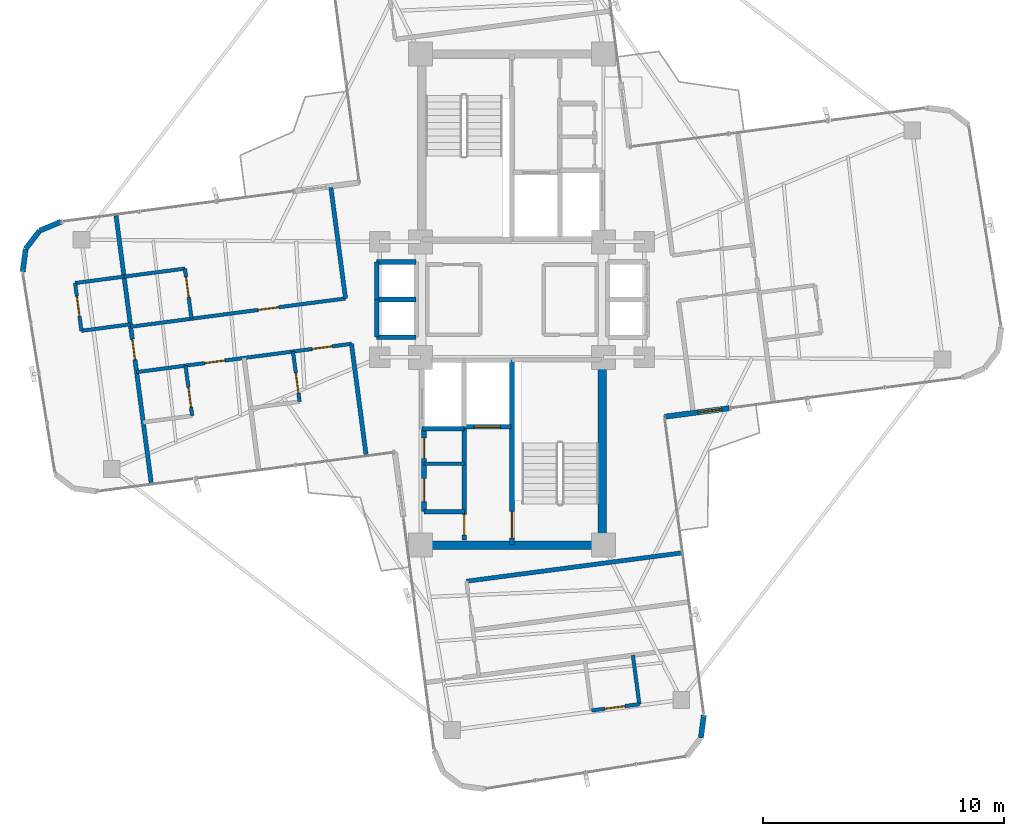
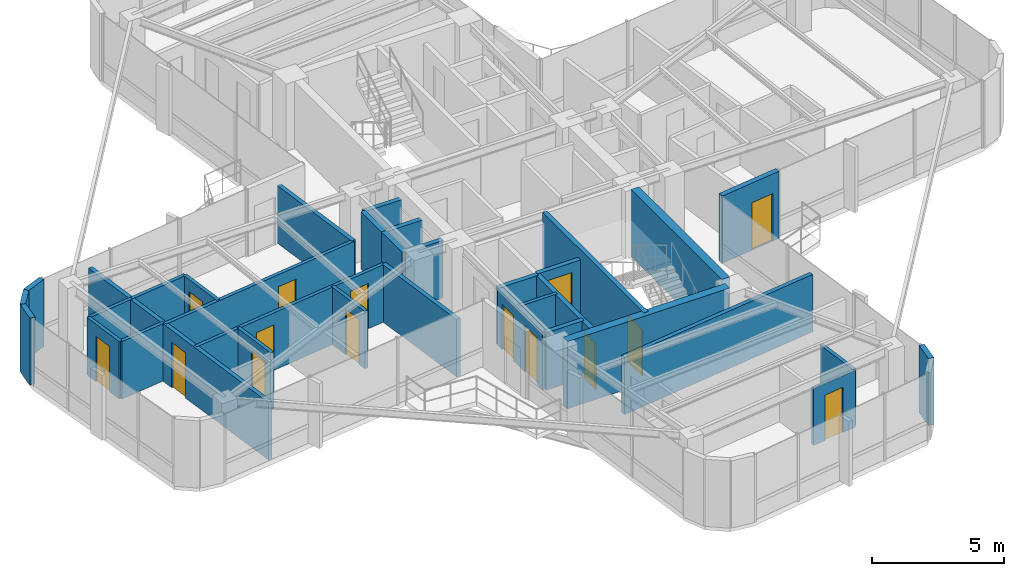
# One storey, part 18 of 21: 34 walls, 15 doors, 15 openings.
"""IFC4 building model written with IfcOpenShell, lengths in metres."""

from ifc_helpers import new_model, si_unit, direction, frame, frame_2d, origin, origin_2d, place, context, subcontext, project, spatial, rectangle, extrude, source, transform, mapped, material, layer, layer_set, type_object, element, fill, save


model = new_model("IFC4")

# Units and contexts
model_context = context("Model", 3, precision=1e-05, world=origin(), true_north=direction((0.0, 1.0)))
body_context = subcontext(model_context, "Body", "Model", "MODEL_VIEW")
ifc_project = project(units=[si_unit("LENGTHUNIT", "METRE"), si_unit("AREAUNIT", "SQUARE_METRE"), si_unit("VOLUMEUNIT", "CUBIC_METRE"), si_unit("PLANEANGLEUNIT", "RADIAN"), si_unit("MASSUNIT", "GRAM", prefix="KILO")], contexts=[model_context])

# Site, building, storey
site_placement = place(None, origin())
site = spatial("IfcSite", under=ifc_project, at=site_placement, CompositionType="ELEMENT")
building_placement = place(site_placement, origin())
building = spatial("IfcBuilding", under=site, at=building_placement, Name="Sahyath Konkavel Grand Hotel", CompositionType="ELEMENT")
storey_placement = place(building_placement, frame((0.0, 0.0, 209.85009765625)))
storey = spatial("IfcBuildingStorey", under=building, at=storey_placement, Name="L58", CompositionType="ELEMENT", Elevation=209.85009765625)

# Walls
ifc_material_1 = material(Name="Concrete C40/50", Category="concrete")
ifc_layer_1 = layer(ifc_material_1, 0.35009765625)
ifc_layer_set_1 = layer_set([ifc_layer_1], Name="Concrete C40/50")
wall_type_1 = type_object("IfcWallType", Name="CWALL-350", PredefinedType="SHEAR", material=ifc_layer_set_1)
wall_1_placement = place(storey_placement, frame((-3.550048828125, -10.199951171875, 0.0), z_axis=(0.0, 0.0, 1.0), x_axis=(1.0, 0.0, 0.0)))
element("IfcWall", 1, at=wall_1_placement, inside=storey, type_object=wall_type_1, Name="L58 South Core Shear Wall S", PredefinedType="SHEAR", context=body_context, shape_type="SweptSolid", body=[
    extrude(rectangle(XDim=7.10009765625, YDim=0.35009765625, at=frame_2d((3.550048828125, 0.0))), origin(), (0.0, 0.0, 1.0), 3.10986328125),
])
wall_2_placement = place(storey_placement, frame((3.739990234375, -9.75, 0.0), z_axis=(0.0, 0.0, 1.0), x_axis=(0.0, 1.0, 0.0)))
element("IfcWall", 2, at=wall_2_placement, inside=storey, type_object=wall_type_1, Name="L58 South Core Shear Wall E", PredefinedType="SHEAR", context=body_context, shape_type="SweptSolid", body=[
    extrude(rectangle(XDim=6.89990234375, YDim=0.35009765625, at=frame_2d((3.449951171875, 0.0))), origin(), (0.0, 0.0, 1.0), 3.10986328125),
])

# Wall, opening, door
ifc_material_2 = material(Name="Warm Buff Sandstone Insulated Concrete C40/50", Category="masonry")
ifc_layer_2 = layer(ifc_material_2, 0.219970703125)
ifc_layer_set_2 = layer_set([ifc_layer_2], Name="Warm Buff Sandstone Insulated Concrete C40/50")
wall_type_2 = type_object("IfcWallType", Name="WLL-BALC-THRESH", PredefinedType="STANDARD", material=ifc_layer_set_2)
wall_3_placement = place(storey_placement, frame((6.339111328125, -4.8642578125, 0.0), z_axis=(0.0, 0.0, 1.0), x_axis=(0.991439824936, 0.130564442062, 0.0)))
wall_3 = element("IfcWall", 3, at=wall_3_placement, inside=storey, type_object=wall_type_2, Name="L58 Winter-Garden Threshold Wall 0", PredefinedType="STANDARD", context=body_context, shape_type="SweptSolid", body=[
    extrude(rectangle(XDim=2.7001953125, YDim=0.219970703125, at=frame_2d((1.35009765625, 0.0))), origin(), (0.0, 0.0, 1.0), 3.10986328125),
])
opening_1_placement = place(wall_3_placement, frame((1.39990234375, 0.0, 0.0)))
opening_1 = element("IfcOpeningElement", 4, at=opening_1_placement, cuts=wall_3, Name="Opening D-TR1", PredefinedType="OPENING", context=body_context, shape_type="SweptSolid", body=[
    extrude(rectangle(XDim=1.0, YDim=2.199951171875, at=frame_2d((0.5, 1.10009765625))), frame((0.0, 0.1201171875, 0.0), z_axis=(0.0, -1.0, 0.0), x_axis=(1.0, 0.0, 0.0)), (0.0, 0.0, 1.0), 0.239990234375),
])
ifc_material_3 = material(Name="Anodised Bronze Aluminium & Low-E Glazing", Category="aluminium")
door_type_1 = type_object("IfcDoorType", Name="DR-TERRACE-1000", OperationType="NOTDEFINED", PredefinedType="DOOR", material=ifc_material_3)
shared_shape_1 = source(origin(), body_context, "Body", "SweptSolid", [
    extrude(rectangle(XDim=1.0, YDim=0.050048828125, at=origin_2d()), origin(), (0.0, 0.0, 1.0), 2.199951171875),
])
door_1_placement = place(opening_1_placement, frame((0.5, 0.0, 0.0)))
door_1 = element("IfcDoor", 5, at=door_1_placement, inside=storey, type_object=door_type_1, Name="L58 Winter-Garden Terrace Door 0", OperationType="SINGLE_SWING_LEFT", OverallHeight=2.199951171875, OverallWidth=1.0, PredefinedType="DOOR", context=body_context, shape_type="MappedRepresentation", body=[
    mapped(shared_shape_1, transform((0.0, 0.0, 0.0), scale=1.0)),
])
fill(opening_1, door_1)

# Walls
for number, where, z_axis, x_axis, name in (
    (6, (-18.732177734375, 3.232666015625, 0.0), (0.0, 0.0, 1.0), (-0.923889442397, -0.382659506909, 0.0), "L58 Rounded Corner Sandstone Pier 17"),
    (7, (-19.616943359375, 2.8662109375, 0.0), (0.0, 0.0, 1.0), (-0.608774010809, -0.793343685778, 0.0), "L58 Rounded Corner Sandstone Pier 18"),
    (8, (-20.199951171875, 2.1064453125, 0.0), (0.0, 0.0, 1.0), (-0.130527053476, -0.991444747987, 0.0), "L58 Rounded Corner Sandstone Pier 19"),
    (9, (7.845703125, -18.206787109375, 0.0), (0.0, 0.0, 1.0), (0.130527053476, 0.991444747987, 0.0), "L58 Rounded Corner Sandstone Pier 30"),
):
    element("IfcWall", number, at=place(storey_placement, frame(where, z_axis=z_axis, x_axis=x_axis)), inside=storey, type_object=wall_type_2, Name=name, PredefinedType="STANDARD", context=body_context, shape_type="SweptSolid", body=[
        extrude(rectangle(XDim=0.957763671875, YDim=0.219970703125, at=frame_2d((0.47900390625, 0.0))), origin(), (0.0, 0.0, 1.0), 3.10986328125),
    ])

# Wall, opening, door
ifc_layer_3 = layer(ifc_material_1, 0.199951171875)
ifc_layer_set_3 = layer_set([ifc_layer_3], Name="Concrete C40/50")
wall_type_3 = type_object("IfcWallType", Name="WLL-CORE-200", PredefinedType="SOLIDWALL", material=ifc_layer_set_3)
wall_4_placement = place(storey_placement, frame((0.0, -10.179931640625, 0.0), z_axis=(0.0, 0.0, 1.0), x_axis=(0.0, 1.0, 0.0)))
wall_4 = element("IfcWall", 10, at=wall_4_placement, inside=storey, type_object=wall_type_3, Name="L58 Stair ST-2 Shaft Wall W", PredefinedType="SOLIDWALL", context=body_context, shape_type="SweptSolid", body=[
    extrude(rectangle(XDim=7.679931640625, YDim=0.199951171875, at=frame_2d((3.83984375, 0.0))), origin(), (0.0, 0.0, 1.0), 3.10986328125),
])
opening_2_placement = place(wall_4_placement, frame((0.280029296875, 0.0, 0.0)))
opening_2 = element("IfcOpeningElement", 11, at=opening_2_placement, cuts=wall_4, Name="Opening D-F12B", PredefinedType="OPENING", context=body_context, shape_type="SweptSolid", body=[
    extrude(rectangle(XDim=1.10009765625, YDim=2.14990234375, at=frame_2d((0.550048828125, 1.074951171875))), frame((0.0, 0.10986328125, 0.0), z_axis=(0.0, -1.0, 0.0), x_axis=(1.0, 0.0, 0.0)), (0.0, 0.0, 1.0), 0.219970703125),
])
ifc_material_4 = material(Name="Steel E350 Smokeproof Fire Door", Category="steel")
door_type_2 = type_object("IfcDoorType", Name="DR-FD120-1100", OperationType="NOTDEFINED", PredefinedType="DOOR", material=ifc_material_4)
shared_shape_2 = source(origin(), body_context, "Body", "SweptSolid", [
    extrude(rectangle(XDim=1.10009765625, YDim=0.050048828125, at=origin_2d()), origin(), (0.0, 0.0, 1.0), 2.14990234375),
])
door_2_placement = place(opening_2_placement, frame((0.550048828125, 0.0, 0.0)))
door_2 = element("IfcDoor", 12, at=door_2_placement, inside=storey, type_object=door_type_2, Name="L58 Stair ST-2 Fire Door", OperationType="SINGLE_SWING_LEFT", OverallHeight=2.14990234375, OverallWidth=1.10009765625, PredefinedType="DOOR", context=body_context, shape_type="MappedRepresentation", body=[
    mapped(shared_shape_2, transform((0.0, 0.0, 0.0), scale=1.0)),
])
fill(opening_2, door_2)

wall_5_placement = place(storey_placement, frame((-1.97998046875, -9.97998046875, 0.0), z_axis=(0.0, 0.0, 1.0), x_axis=(0.0, 1.0, 0.0)))
wall_5 = element("IfcWall", 13, at=wall_5_placement, inside=storey, type_object=wall_type_3, Name="L58 South Firefighting Lobby Wall W", PredefinedType="SOLIDWALL", context=body_context, shape_type="SweptSolid", body=[
    extrude(rectangle(XDim=4.659912109375, YDim=0.199951171875, at=frame_2d((2.330078125, 0.0))), origin(), (0.0, 0.0, 1.0), 2.659912109375),
])
opening_3_placement = place(wall_5_placement, frame((0.199951171875, 0.0, 0.0)))
opening_3 = element("IfcOpeningElement", 14, at=opening_3_placement, cuts=wall_5, Name="Opening D-F12D", PredefinedType="OPENING", context=body_context, shape_type="SweptSolid", body=[
    extrude(rectangle(XDim=0.85009765625, YDim=2.10009765625, at=frame_2d((0.425048828125, 1.050048828125))), frame((0.0, 0.10986328125, 0.0), z_axis=(0.0, -1.0, 0.0), x_axis=(1.0, 0.0, 0.0)), (0.0, 0.0, 1.0), 0.219970703125),
])
ifc_material_5 = material(Name="Steel E350 Core Fire Door", Category="steel")
door_type_3 = type_object("IfcDoorType", Name="DR-FD120-850", OperationType="NOTDEFINED", PredefinedType="DOOR", material=ifc_material_5)
shared_shape_3 = source(origin(), body_context, "Body", "SweptSolid", [
    extrude(rectangle(XDim=0.85009765625, YDim=0.050048828125, at=origin_2d()), origin(), (0.0, 0.0, 1.0), 2.10009765625),
])
door_3_placement = place(opening_3_placement, frame((0.425048828125, 0.0, 0.0)))
door_3 = element("IfcDoor", 15, at=door_3_placement, inside=storey, type_object=door_type_3, Name="L58 South Firefighting Lobby Door", OperationType="SINGLE_SWING_LEFT", OverallHeight=2.10009765625, OverallWidth=0.85009765625, PredefinedType="DOOR", context=body_context, shape_type="MappedRepresentation", body=[
    mapped(shared_shape_3, transform((0.0, 0.0, 0.0), scale=1.0)),
])
fill(opening_3, door_3)

wall_6_placement = place(storey_placement, frame((-1.97998046875, -5.280029296875, 0.0), z_axis=(0.0, 0.0, 1.0), x_axis=(1.0, 0.0, 0.0)))
wall_6 = element("IfcWall", 16, at=wall_6_placement, inside=storey, type_object=wall_type_3, Name="L58 Partition SH-FFL2-S", PredefinedType="SOLIDWALL", context=body_context, shape_type="SweptSolid", body=[
    extrude(rectangle(XDim=1.929931640625, YDim=0.199951171875, at=frame_2d((0.96484375, 0.0))), origin(), (0.0, 0.0, 1.0), 2.659912109375),
])
opening_4_placement = place(wall_6_placement, frame((0.39990234375, 0.0, 0.0)))
opening_4 = element("IfcOpeningElement", 17, at=opening_4_placement, cuts=wall_6, Name="Opening LD-11", PredefinedType="OPENING", context=body_context, shape_type="SweptSolid", body=[
    extrude(rectangle(XDim=1.10009765625, YDim=2.199951171875, at=frame_2d((0.550048828125, 1.10009765625))), frame((0.0, 0.10986328125, 0.0), z_axis=(0.0, -1.0, 0.0), x_axis=(1.0, 0.0, 0.0)), (0.0, 0.0, 1.0), 0.219970703125),
])
ifc_material_6 = material(Name="Bronze Lift Landing Door 1100")
door_type_4 = type_object("IfcDoorType", Name="DR-LIFT-1100", OperationType="DOUBLE_DOOR_SLIDING", PredefinedType="DOOR", material=ifc_material_6)
shared_shape_4 = source(origin(), body_context, "Body", "SweptSolid", [
    extrude(rectangle(XDim=1.10009765625, YDim=0.050048828125, at=origin_2d()), origin(), (0.0, 0.0, 1.0), 2.199951171875),
])
door_4_placement = place(opening_4_placement, frame((0.550048828125, 0.0, 0.0)))
door_4 = element("IfcDoor", 18, at=door_4_placement, inside=storey, type_object=door_type_4, Name="L58 Lift FFL-2 Landing Door", OperationType="DOUBLE_DOOR_SLIDING", OverallHeight=2.199951171875, OverallWidth=1.10009765625, PredefinedType="DOOR", context=body_context, shape_type="MappedRepresentation", body=[
    mapped(shared_shape_4, transform((0.0, 0.0, 0.0), scale=1.0)),
])
fill(opening_4, door_4)

# Walls
wall_7_placement = place(storey_placement, frame((-3.739990234375, -5.360107421875, 0.0), z_axis=(0.0, 0.0, 1.0), x_axis=(1.0, 0.0, 0.0)))
element("IfcWall", 19, at=wall_7_placement, inside=storey, type_object=wall_type_3, Name="L58 Partition SH-SVL2-S", PredefinedType="SOLIDWALL", context=body_context, shape_type="SweptSolid", body=[
    extrude(rectangle(XDim=1.739990234375, YDim=0.199951171875, at=frame_2d((0.8701171875, 0.0))), origin(), (0.0, 0.0, 1.0), 2.659912109375),
])
for number, where, z_axis, x_axis, name in (
    (20, (-5.6201171875, 1.56005859375, 0.0), (0.0, 0.0, 1.0), (1.0, 0.0, 0.0), "L58 Partition SH-SL12-N"),
    (21, (-5.6201171875, -1.56005859375, 0.0), (0.0, 0.0, 1.0), (1.0, 0.0, 0.0), "L58 Partition SH-SL12-S"),
    (22, (-5.6201171875, 0.0, 0.0), (0.0, 0.0, 1.0), (1.0, 0.0, 0.0), "L58 Partition SH-SL12-M"),
):
    element("IfcWall", number, at=place(storey_placement, frame(where, z_axis=z_axis, x_axis=x_axis)), inside=storey, type_object=wall_type_3, Name=name, PredefinedType="SOLIDWALL", context=body_context, shape_type="SweptSolid", body=[
        extrude(rectangle(XDim=1.64013671875, YDim=0.199951171875, at=frame_2d((0.820068359375, 0.0))), origin(), (0.0, 0.0, 1.0), 2.659912109375),
    ])
for number, where, z_axis, x_axis, name in (
    (23, (-5.6201171875, 0.0, 0.0), (0.0, 0.0, 1.0), (0.0, 1.0, 0.0), "L58 Partition SH-SL1-W"),
    (24, (-5.6201171875, -1.56005859375, 0.0), (0.0, 0.0, 1.0), (0.0, 1.0, 0.0), "L58 Partition SH-SL2-W"),
):
    element("IfcWall", number, at=place(storey_placement, frame(where, z_axis=z_axis, x_axis=x_axis)), inside=storey, type_object=wall_type_3, Name=name, PredefinedType="SOLIDWALL", context=body_context, shape_type="SweptSolid", body=[
        extrude(rectangle(XDim=1.56005859375, YDim=0.199951171875, at=frame_2d((0.780029296875, 0.0))), origin(), (0.0, 0.0, 1.0), 2.659912109375),
    ])

# Wall, openings, doors
wall_8_placement = place(storey_placement, frame((-3.64990234375, -8.81005859375, 0.0), z_axis=(0.0, 0.0, 1.0), x_axis=(0.0, 1.0, 0.0)))
wall_8 = element("IfcWall", 25, at=wall_8_placement, inside=storey, type_object=wall_type_3, Name="L58 Reclaimed South Core Wall W", PredefinedType="SOLIDWALL", context=body_context, shape_type="SweptSolid", body=[
    extrude(rectangle(XDim=3.43017578125, YDim=0.199951171875, at=frame_2d((1.715087890625, 0.0))), origin(), (0.0, 0.0, 1.0), 2.659912109375),
])
opening_5_placement = place(wall_8_placement, frame((0.419921875, 0.0, 0.0)))
opening_5 = element("IfcOpeningElement", 26, at=opening_5_placement, cuts=wall_8, Name="Opening D-AC95", PredefinedType="OPENING", context=body_context, shape_type="SweptSolid", body=[
    extrude(rectangle(XDim=0.949951171875, YDim=2.14990234375, at=frame_2d((0.47509765625, 1.074951171875))), frame((0.0, 0.10986328125, 0.0), z_axis=(0.0, -1.0, 0.0), x_axis=(1.0, 0.0, 0.0)), (0.0, 0.0, 1.0), 0.219970703125),
])
opening_6_placement = place(wall_8_placement, frame((2.219970703125, 0.0, 0.0)))
opening_6 = element("IfcOpeningElement", 27, at=opening_6_placement, cuts=wall_8, Name="Opening D-F06D", PredefinedType="OPENING", context=body_context, shape_type="SweptSolid", body=[
    extrude(rectangle(XDim=0.85009765625, YDim=2.10009765625, at=frame_2d((0.425048828125, 1.050048828125))), frame((0.0, 0.10986328125, 0.0), z_axis=(0.0, -1.0, 0.0), x_axis=(1.0, 0.0, 0.0)), (0.0, 0.0, 1.0), 0.219970703125),
])
ifc_material_7 = material(Name="Accessible Washroom Timber Door", Category="wood")
door_type_5 = type_object("IfcDoorType", Name="DR-ACC-950", OperationType="NOTDEFINED", PredefinedType="DOOR", material=ifc_material_7)
shared_shape_5 = source(origin(), body_context, "Body", "SweptSolid", [
    extrude(rectangle(XDim=0.949951171875, YDim=0.050048828125, at=origin_2d()), origin(), (0.0, 0.0, 1.0), 2.14990234375),
])
door_5_placement = place(opening_5_placement, frame((0.47509765625, 0.0, 0.0)))
door_5 = element("IfcDoor", 28, at=door_5_placement, inside=storey, type_object=door_type_5, Name="L58 Door SC-REC1-D", OperationType="SINGLE_SWING_RIGHT", OverallHeight=2.14990234375, OverallWidth=0.949951171875, PredefinedType="DOOR", context=body_context, shape_type="MappedRepresentation", body=[
    mapped(shared_shape_5, transform((0.0, 0.0, 0.0), scale=1.0)),
])
fill(opening_5, door_5)
ifc_material_8 = material(Name="Fire-Rated Shaft Access Door")
door_type_6 = type_object("IfcDoorType", Name="DR-FD60-850", OperationType="NOTDEFINED", PredefinedType="DOOR", material=ifc_material_8)
door_6_placement = place(opening_6_placement, frame((0.425048828125, 0.0, 0.0)))
door_6 = element("IfcDoor", 29, at=door_6_placement, inside=storey, type_object=door_type_6, Name="L58 Door SC-REC2-D", OperationType="SINGLE_SWING_LEFT", OverallHeight=2.10009765625, OverallWidth=0.85009765625, PredefinedType="DOOR", context=body_context, shape_type="MappedRepresentation", body=[
    mapped(shared_shape_3, transform((0.0, 0.0, 0.0), scale=1.0)),
])
fill(opening_6, door_6)

# Walls
wall_9_placement = place(storey_placement, frame((-3.64990234375, -8.81005859375, 0.0), z_axis=(0.0, 0.0, 1.0), x_axis=(1.0, 0.0, 0.0)))
element("IfcWall", 30, at=wall_9_placement, inside=storey, type_object=wall_type_3, Name="L58 Partition SC-REC-S", PredefinedType="SOLIDWALL", context=body_context, shape_type="SweptSolid", body=[
    extrude(rectangle(XDim=1.669921875, YDim=0.199951171875, at=frame_2d((0.8349609375, 0.0))), origin(), (0.0, 0.0, 1.0), 2.659912109375),
])
ifc_material_9 = material(Name="Twin-Stud Acoustic Gypsum Plasterboard Partition")
ifc_layer_4 = layer(ifc_material_9, 0.179931640625)
ifc_layer_set_4 = layer_set([ifc_layer_4], Name="Twin-Stud Acoustic Gypsum Plasterboard Partition")
wall_type_4 = type_object("IfcWallType", Name="WLL-DEMISE-180", PredefinedType="PARTITIONING", material=ifc_layer_set_4)
wall_10_placement = place(storey_placement, frame((-6.66748046875, -1.8359375, 0.0), z_axis=(0.0, 0.0, 1.0), x_axis=(0.13051970184, -0.991445715827, 0.0)))
element("IfcWall", 31, at=wall_10_placement, inside=storey, type_object=wall_type_4, Name="L58 Partition W-INL", PredefinedType="PARTITIONING", context=body_context, shape_type="SweptSolid", body=[
    extrude(rectangle(XDim=4.650146484375, YDim=0.179931640625, at=frame_2d((2.3251953125, 0.0))), origin(), (0.0, 0.0, 1.0), 2.659912109375),
])
wall_11_placement = place(storey_placement, frame((-7.522216796875, 4.657958984375, 0.0), z_axis=(0.0, 0.0, 1.0), x_axis=(0.130526496103, -0.991444821367, 0.0)))
element("IfcWall", 32, at=wall_11_placement, inside=storey, type_object=wall_type_4, Name="L58 Partition W-INR", PredefinedType="PARTITIONING", context=body_context, shape_type="SweptSolid", body=[
    extrude(rectangle(XDim=4.64990234375, YDim=0.179931640625, at=frame_2d((2.324951171875, 0.0))), origin(), (0.0, 0.0, 1.0), 2.659912109375),
])

# Wall, opening, door
wall_12_placement = place(storey_placement, frame((-16.4453125, 3.4833984375, 0.0), z_axis=(0.0, 0.0, 1.0), x_axis=(0.130527251821, -0.991444721874, 0.0)))
wall_12 = element("IfcWall", 33, at=wall_12_placement, inside=storey, type_object=wall_type_4, Name="L58 Partition W-WTIP-END", PredefinedType="PARTITIONING", context=body_context, shape_type="SweptSolid", body=[
    extrude(rectangle(XDim=11.199951171875, YDim=0.179931640625, at=frame_2d((5.60009765625, 0.0))), origin(), (0.0, 0.0, 1.0), 2.659912109375),
])
opening_7_placement = place(wall_12_placement, frame((5.175048828125, 0.0, 0.0)))
opening_7 = element("IfcOpeningElement", 34, at=opening_7_placement, cuts=wall_12, Name="Opening D-F06D", PredefinedType="OPENING", context=body_context, shape_type="SweptSolid", body=[
    extrude(rectangle(XDim=0.85009765625, YDim=2.10009765625, at=frame_2d((0.425048828125, 1.050048828125))), frame((0.0, 0.10009765625, 0.0), z_axis=(0.0, -1.0, 0.0), x_axis=(1.0, 0.0, 0.0)), (0.0, 0.0, 1.0), 0.199951171875),
])
door_7_placement = place(opening_7_placement, frame((0.425048828125, 0.0, 0.0)))
door_7 = element("IfcDoor", 35, at=door_7_placement, inside=storey, type_object=door_type_6, Name="L58 Door W-WTIP-ED", OperationType="SINGLE_SWING_LEFT", OverallHeight=2.10009765625, OverallWidth=0.85009765625, PredefinedType="DOOR", context=body_context, shape_type="MappedRepresentation", body=[
    mapped(shared_shape_3, transform((0.0, 0.0, 0.0), scale=1.0)),
])
fill(opening_7, door_7)

# Walls
wall_13_placement = place(storey_placement, frame((-1.889404296875, -11.69677734375, 0.0), z_axis=(0.0, 0.0, 1.0), x_axis=(0.991444043898, 0.130532401413, 0.0)))
element("IfcWall", 36, at=wall_13_placement, inside=storey, type_object=wall_type_4, Name="L58 Partition S-G6I", PredefinedType="PARTITIONING", context=body_context, shape_type="SweptSolid", body=[
    extrude(rectangle(XDim=9.0, YDim=0.179931640625, at=frame_2d((4.5, 0.0))), origin(), (0.0, 0.0, 1.0), 2.659912109375),
])
ifc_material_10 = material(Name="Fire-Rated Gypsum Plasterboard Partition")
ifc_layer_5 = layer(ifc_material_10, 0.14990234375)
ifc_layer_set_5 = layer_set([ifc_layer_5], Name="Fire-Rated Gypsum Plasterboard Partition")
wall_type_5 = type_object("IfcWallType", Name="WLL-PART-150", PredefinedType="PARTITIONING", material=ifc_layer_set_5)
wall_14_placement = place(storey_placement, frame((-3.64990234375, -6.81005859375, 0.0), z_axis=(0.0, 0.0, 1.0), x_axis=(1.0, 0.0, 0.0)))
element("IfcWall", 37, at=wall_14_placement, inside=storey, type_object=wall_type_5, Name="L58 Partition SC-REC-M1", PredefinedType="PARTITIONING", context=body_context, shape_type="SweptSolid", body=[
    extrude(rectangle(XDim=1.669921875, YDim=0.14990234375, at=frame_2d((0.8349609375, 0.0))), origin(), (0.0, 0.0, 1.0), 2.659912109375),
])

# Wall, openings, doors
wall_15_placement = place(storey_placement, frame((-6.66748046875, -1.8359375, 0.0), z_axis=(0.0, 0.0, 1.0), x_axis=(-0.99144358168, -0.130535912089, 0.0)))
wall_15 = element("IfcWall", 38, at=wall_15_placement, inside=storey, type_object=wall_type_5, Name="L58 Partition W-CL", PredefinedType="PARTITIONING", context=body_context, shape_type="SweptSolid", body=[
    extrude(rectangle(XDim=8.999755859375, YDim=0.14990234375, at=frame_2d((4.5, 0.0))), origin(), (0.0, 0.0, 1.0), 2.659912109375),
])
opening_8_placement = place(wall_15_placement, frame((0.800048828125, 0.0, 0.0)))
opening_8 = element("IfcOpeningElement", 39, at=opening_8_placement, cuts=wall_15, Name="Opening D-F06D", PredefinedType="OPENING", context=body_context, shape_type="SweptSolid", body=[
    extrude(rectangle(XDim=0.85009765625, YDim=2.10009765625, at=frame_2d((0.425048828125, 1.050048828125))), frame((0.0, 0.0849609375, 0.0), z_axis=(0.0, -1.0, 0.0), x_axis=(1.0, 0.0, 0.0)), (0.0, 0.0, 1.0), 0.169921875),
])
opening_9_placement = place(wall_15_placement, frame((5.300048828125, 0.0, 0.0)))
opening_9 = element("IfcOpeningElement", 40, at=opening_9_placement, cuts=wall_15, Name="Opening D-F06D", PredefinedType="OPENING", context=body_context, shape_type="SweptSolid", body=[
    extrude(rectangle(XDim=0.85009765625, YDim=2.10009765625, at=frame_2d((0.425048828125, 1.050048828125))), frame((0.0, 0.0849609375, 0.0), z_axis=(0.0, -1.0, 0.0), x_axis=(1.0, 0.0, 0.0)), (0.0, 0.0, 1.0), 0.169921875),
])
door_8_placement = place(opening_8_placement, frame((0.425048828125, 0.0, 0.0)))
door_8 = element("IfcDoor", 41, at=door_8_placement, inside=storey, type_object=door_type_6, Name="L58 Door W-W4L1-ED", OperationType="SINGLE_SWING_LEFT", OverallHeight=2.10009765625, OverallWidth=0.85009765625, PredefinedType="DOOR", context=body_context, shape_type="MappedRepresentation", body=[
    mapped(shared_shape_3, transform((0.0, 0.0, 0.0), scale=1.0)),
])
fill(opening_8, door_8)
door_9_placement = place(opening_9_placement, frame((0.425048828125, 0.0, 0.0)))
door_9 = element("IfcDoor", 42, at=door_9_placement, inside=storey, type_object=door_type_6, Name="L58 Door W-W4L2-ED", OperationType="SINGLE_SWING_LEFT", OverallHeight=2.10009765625, OverallWidth=0.85009765625, PredefinedType="DOOR", context=body_context, shape_type="MappedRepresentation", body=[
    mapped(shared_shape_3, transform((0.0, 0.0, 0.0), scale=1.0)),
])
fill(opening_9, door_9)

# Wall, opening, door
wall_16_placement = place(storey_placement, frame((-6.915283203125, 0.0478515625, 0.0), z_axis=(0.0, 0.0, 1.0), x_axis=(-0.991444043898, -0.130532401413, 0.0)))
wall_16 = element("IfcWall", 43, at=wall_16_placement, inside=storey, type_object=wall_type_5, Name="L58 Partition W-CR", PredefinedType="PARTITIONING", context=body_context, shape_type="SweptSolid", body=[
    extrude(rectangle(XDim=9.0, YDim=0.14990234375, at=frame_2d((4.5, 0.0))), origin(), (0.0, 0.0, 1.0), 2.659912109375),
])
opening_10_placement = place(wall_16_placement, frame((2.800048828125, 0.0, 0.0)))
opening_10 = element("IfcOpeningElement", 44, at=opening_10_placement, cuts=wall_16, Name="Opening D-F06D", PredefinedType="OPENING", context=body_context, shape_type="SweptSolid", body=[
    extrude(rectangle(XDim=0.85009765625, YDim=2.10009765625, at=frame_2d((0.425048828125, 1.050048828125))), frame((0.0, 0.0849609375, 0.0), z_axis=(0.0, -1.0, 0.0), x_axis=(1.0, 0.0, 0.0)), (0.0, 0.0, 1.0), 0.169921875),
])
door_10_placement = place(opening_10_placement, frame((0.425048828125, 0.0, 0.0)))
door_10 = element("IfcDoor", 45, at=door_10_placement, inside=storey, type_object=door_type_6, Name="L58 Door W-W4R1-ED", OperationType="SINGLE_SWING_LEFT", OverallHeight=2.10009765625, OverallWidth=0.85009765625, PredefinedType="DOOR", context=body_context, shape_type="MappedRepresentation", body=[
    mapped(shared_shape_3, transform((0.0, 0.0, 0.0), scale=1.0)),
])
fill(opening_10, door_10)

wall_17_placement = place(storey_placement, frame((-9.096435546875, -2.15576171875, 0.0), z_axis=(0.0, 0.0, 1.0), x_axis=(0.130556761174, -0.991440836415, 0.0)))
wall_17 = element("IfcWall", 46, at=wall_17_placement, inside=storey, type_object=wall_type_5, Name="L58 Partition W-W4L1-BS", PredefinedType="PARTITIONING", context=body_context, shape_type="SweptSolid", body=[
    extrude(rectangle(XDim=2.10009765625, YDim=0.14990234375, at=frame_2d((1.050048828125, 0.0))), origin(), (0.0, 0.0, 1.0), 2.659912109375),
])
opening_11_placement = place(wall_17_placement, frame((0.89990234375, 0.0, 0.0)))
opening_11 = element("IfcOpeningElement", 47, at=opening_11_placement, cuts=wall_17, Name="Opening D-BT85", PredefinedType="OPENING", context=body_context, shape_type="SweptSolid", body=[
    extrude(rectangle(XDim=0.85009765625, YDim=2.10009765625, at=frame_2d((0.425048828125, 1.050048828125))), frame((0.0, 0.0849609375, 0.0), z_axis=(0.0, -1.0, 0.0), x_axis=(1.0, 0.0, 0.0)), (0.0, 0.0, 1.0), 0.169921875),
])
ifc_material_11 = material(Name="Moisture-Resistant Teak Bathroom Door")
door_type_7 = type_object("IfcDoorType", Name="DR-BATH-850", OperationType="NOTDEFINED", PredefinedType="DOOR", material=ifc_material_11)
door_11_placement = place(opening_11_placement, frame((0.425048828125, 0.0, 0.0)))
door_11 = element("IfcDoor", 48, at=door_11_placement, inside=storey, type_object=door_type_7, Name="L58 Door W-W4L1-BD", OperationType="SINGLE_SWING_RIGHT", OverallHeight=2.10009765625, OverallWidth=0.85009765625, PredefinedType="DOOR", context=body_context, shape_type="MappedRepresentation", body=[
    mapped(shared_shape_3, transform((0.0, 0.0, 0.0), scale=1.0)),
])
fill(opening_11, door_11)

wall_18_placement = place(storey_placement, frame((-13.557861328125, -2.7431640625, 0.0), z_axis=(0.0, 0.0, 1.0), x_axis=(0.130556761174, -0.991440836415, 0.0)))
wall_18 = element("IfcWall", 49, at=wall_18_placement, inside=storey, type_object=wall_type_5, Name="L58 Partition W-W4L2-BS", PredefinedType="PARTITIONING", context=body_context, shape_type="SweptSolid", body=[
    extrude(rectangle(XDim=2.10009765625, YDim=0.14990234375, at=frame_2d((1.050048828125, 0.0))), origin(), (0.0, 0.0, 1.0), 2.659912109375),
])
opening_12_placement = place(wall_18_placement, frame((0.89990234375, 0.0, 0.0)))
opening_12 = element("IfcOpeningElement", 50, at=opening_12_placement, cuts=wall_18, Name="Opening D-BT85", PredefinedType="OPENING", context=body_context, shape_type="SweptSolid", body=[
    extrude(rectangle(XDim=0.85009765625, YDim=2.10009765625, at=frame_2d((0.425048828125, 1.050048828125))), frame((0.0, 0.0849609375, 0.0), z_axis=(0.0, -1.0, 0.0), x_axis=(1.0, 0.0, 0.0)), (0.0, 0.0, 1.0), 0.169921875),
])
door_12_placement = place(opening_12_placement, frame((0.425048828125, 0.0, 0.0)))
door_12 = element("IfcDoor", 51, at=door_12_placement, inside=storey, type_object=door_type_7, Name="L58 Door W-W4L2-BD", OperationType="SINGLE_SWING_RIGHT", OverallHeight=2.10009765625, OverallWidth=0.85009765625, PredefinedType="DOOR", context=body_context, shape_type="MappedRepresentation", body=[
    mapped(shared_shape_3, transform((0.0, 0.0, 0.0), scale=1.0)),
])
fill(opening_12, door_12)

wall_19_placement = place(storey_placement, frame((-13.310302734375, -0.794189453125, 0.0), z_axis=(0.0, 0.0, 1.0), x_axis=(-0.13044248305, 0.9914558783, 0.0)))
wall_19 = element("IfcWall", 52, at=wall_19_placement, inside=storey, type_object=wall_type_5, Name="L58 Partition W-W4R1-BS", PredefinedType="PARTITIONING", context=body_context, shape_type="SweptSolid", body=[
    extrude(rectangle(XDim=2.099853515625, YDim=0.14990234375, at=frame_2d((1.0498046875, 0.0))), origin(), (0.0, 0.0, 1.0), 2.659912109375),
])
opening_13_placement = place(wall_19_placement, frame((0.89990234375, 0.0, 0.0)))
opening_13 = element("IfcOpeningElement", 53, at=opening_13_placement, cuts=wall_19, Name="Opening D-BT85", PredefinedType="OPENING", context=body_context, shape_type="SweptSolid", body=[
    extrude(rectangle(XDim=0.85009765625, YDim=2.10009765625, at=frame_2d((0.425048828125, 1.050048828125))), frame((0.0, 0.0849609375, 0.0), z_axis=(0.0, -1.0, 0.0), x_axis=(1.0, 0.0, 0.0)), (0.0, 0.0, 1.0), 0.169921875),
])
door_13_placement = place(opening_13_placement, frame((0.425048828125, 0.0, 0.0)))
door_13 = element("IfcDoor", 54, at=door_13_placement, inside=storey, type_object=door_type_7, Name="L58 Door W-W4R1-BD", OperationType="SINGLE_SWING_RIGHT", OverallHeight=2.10009765625, OverallWidth=0.85009765625, PredefinedType="DOOR", context=body_context, shape_type="MappedRepresentation", body=[
    mapped(shared_shape_3, transform((0.0, 0.0, 0.0), scale=1.0)),
])
fill(opening_13, door_13)

# Walls
wall_20_placement = place(storey_placement, frame((-13.584228515625, 1.287841796875, 0.0), z_axis=(0.0, 0.0, 1.0), x_axis=(-0.99144973294, -0.130489183661, 0.0)))
element("IfcWall", 55, at=wall_20_placement, inside=storey, type_object=wall_type_5, Name="L58 Partition W-W4R1-BF", PredefinedType="PARTITIONING", context=body_context, shape_type="SweptSolid", body=[
    extrude(rectangle(XDim=2.550048828125, YDim=0.14990234375, at=frame_2d((1.27490234375, 0.0))), origin(), (0.0, 0.0, 1.0), 2.659912109375),
])
wall_21_placement = place(storey_placement, frame((-15.8515625, -1.02783203125, 0.0), z_axis=(0.0, 0.0, 1.0), x_axis=(-0.991442940586, -0.130540781221, 0.0)))
element("IfcWall", 56, at=wall_21_placement, inside=storey, type_object=wall_type_5, Name="L58 Partition W-WTIP-BN", PredefinedType="PARTITIONING", context=body_context, shape_type="SweptSolid", body=[
    extrude(rectangle(XDim=2.0498046875, YDim=0.14990234375, at=frame_2d((1.02490234375, 0.0))), origin(), (0.0, 0.0, 1.0), 2.659912109375),
])
wall_22_placement = place(storey_placement, frame((-16.112548828125, 0.955078125, 0.0), z_axis=(0.0, 0.0, 1.0), x_axis=(-0.991444969909, -0.13052536781, 0.0)))
element("IfcWall", 57, at=wall_22_placement, inside=storey, type_object=wall_type_5, Name="L58 Partition W-WTIP-BS", PredefinedType="PARTITIONING", context=body_context, shape_type="SweptSolid", body=[
    extrude(rectangle(XDim=2.050048828125, YDim=0.14990234375, at=frame_2d((1.02490234375, 0.0))), origin(), (0.0, 0.0, 1.0), 2.659912109375),
])

# Wall, opening, door
wall_23_placement = place(storey_placement, frame((-18.14501953125, 0.6875, 0.0), z_axis=(0.0, 0.0, 1.0), x_axis=(0.130612392842, -0.991433509034, 0.0)))
wall_23 = element("IfcWall", 58, at=wall_23_placement, inside=storey, type_object=wall_type_5, Name="L58 Partition W-WTIP-BE", PredefinedType="PARTITIONING", context=body_context, shape_type="SweptSolid", body=[
    extrude(rectangle(XDim=2.0, YDim=0.14990234375, at=frame_2d((1.0, 0.0))), origin(), (0.0, 0.0, 1.0), 2.659912109375),
])
opening_14_placement = place(wall_23_placement, frame((0.550048828125, 0.0, 0.0)))
opening_14 = element("IfcOpeningElement", 59, at=opening_14_placement, cuts=wall_23, Name="Opening D-BT85", PredefinedType="OPENING", context=body_context, shape_type="SweptSolid", body=[
    extrude(rectangle(XDim=0.85009765625, YDim=2.10009765625, at=frame_2d((0.425048828125, 1.050048828125))), frame((0.0, 0.0849609375, 0.0), z_axis=(0.0, -1.0, 0.0), x_axis=(1.0, 0.0, 0.0)), (0.0, 0.0, 1.0), 0.169921875),
])
door_14_placement = place(opening_14_placement, frame((0.425048828125, 0.0, 0.0)))
door_14 = element("IfcDoor", 60, at=door_14_placement, inside=storey, type_object=door_type_7, Name="L58 Door W-WTIP-BD", OperationType="SINGLE_SWING_RIGHT", OverallHeight=2.10009765625, OverallWidth=0.85009765625, PredefinedType="DOOR", context=body_context, shape_type="MappedRepresentation", body=[
    mapped(shared_shape_3, transform((0.0, 0.0, 0.0), scale=1.0)),
])
fill(opening_14, door_14)

# Wall
wall_24_placement = place(storey_placement, frame((5.02099609375, -14.77099609375, 0.0), z_axis=(0.0, 0.0, 1.0), x_axis=(0.13052536781, -0.991444969909, 0.0)))
element("IfcWall", 61, at=wall_24_placement, inside=storey, type_object=wall_type_5, Name="L58 Partition S-STIP-BN", PredefinedType="PARTITIONING", context=body_context, shape_type="SweptSolid", body=[
    extrude(rectangle(XDim=2.050048828125, YDim=0.14990234375, at=frame_2d((1.02490234375, 0.0))), origin(), (0.0, 0.0, 1.0), 2.659912109375),
])

# Wall, opening, door
wall_25_placement = place(storey_placement, frame((3.3056640625, -17.064453125, 0.0), z_axis=(0.0, 0.0, 1.0), x_axis=(0.991449308994, 0.130492404742, 0.0)))
wall_25 = element("IfcWall", 62, at=wall_25_placement, inside=storey, type_object=wall_type_5, Name="L58 Partition S-STIP-BE", PredefinedType="PARTITIONING", context=body_context, shape_type="SweptSolid", body=[
    extrude(rectangle(XDim=2.0, YDim=0.14990234375, at=frame_2d((1.0, 0.0))), origin(), (0.0, 0.0, 1.0), 2.6298828125),
])
opening_15_placement = place(wall_25_placement, frame((0.550048828125, 0.0, 0.0)))
opening_15 = element("IfcOpeningElement", 63, at=opening_15_placement, cuts=wall_25, Name="Opening D-BT85", PredefinedType="OPENING", context=body_context, shape_type="SweptSolid", body=[
    extrude(rectangle(XDim=0.85009765625, YDim=2.10009765625, at=frame_2d((0.425048828125, 1.050048828125))), frame((0.0, 0.0849609375, 0.0), z_axis=(0.0, -1.0, 0.0), x_axis=(1.0, 0.0, 0.0)), (0.0, 0.0, 1.0), 0.169921875),
])
door_15_placement = place(opening_15_placement, frame((0.425048828125, 0.0, 0.0)))
door_15 = element("IfcDoor", 64, at=door_15_placement, inside=storey, type_object=door_type_7, Name="L58 Door S-STIP-BD", OperationType="SINGLE_SWING_RIGHT", OverallHeight=2.10009765625, OverallWidth=0.85009765625, PredefinedType="DOOR", context=body_context, shape_type="MappedRepresentation", body=[
    mapped(shared_shape_3, transform((0.0, 0.0, 0.0), scale=1.0)),
])
fill(opening_15, door_15)

save(model, "model.ifc")
